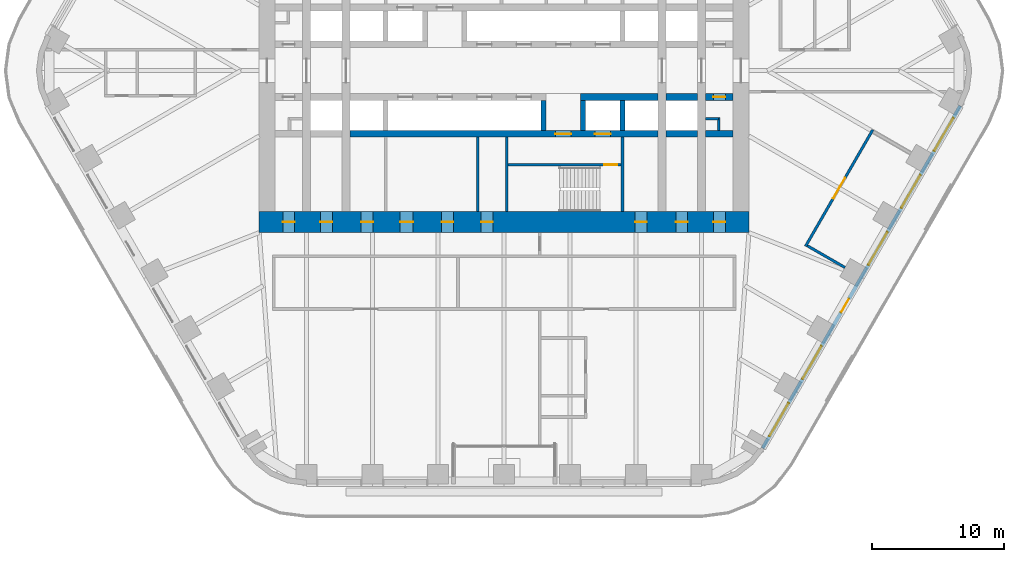
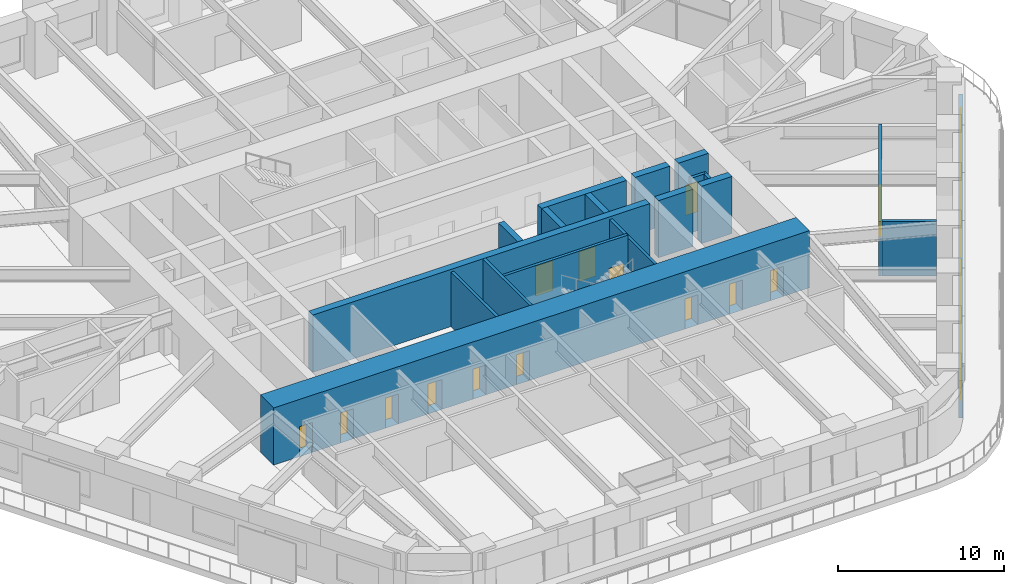
# One storey, part 18 of 24: 19 walls, 15 doors, 5 windows, 20 openings.
"""IFC4 building model written with IfcOpenShell, lengths in metres."""

from ifc_helpers import new_model, si_unit, direction, frame, frame_2d, origin, place, context, subcontext, project, spatial, rectangle, extrude, material, layer, layer_set, type_object, element, fill, save


model = new_model("IFC4")

# Units and contexts
model_context = context("Model", 3, precision=1e-05, world=origin(), true_north=direction((0.0, 1.0)))
body_context = subcontext(model_context, "Body", "Model", "MODEL_VIEW")
ifc_project = project(units=[si_unit("LENGTHUNIT", "METRE"), si_unit("AREAUNIT", "SQUARE_METRE"), si_unit("VOLUMEUNIT", "CUBIC_METRE"), si_unit("PLANEANGLEUNIT", "RADIAN"), si_unit("MASSUNIT", "GRAM", prefix="KILO")], contexts=[model_context])

# Site, building, storey
site_placement = place(None, origin())
site = spatial("IfcSite", under=ifc_project, at=site_placement, CompositionType="ELEMENT")
building_placement = place(site_placement, origin())
building = spatial("IfcBuilding", under=site, at=building_placement, Name="Tarfa Lantern Tower", CompositionType="ELEMENT")
storey_placement = place(building_placement, frame((0.0, 0.0, 148.89990234375)))
storey = spatial("IfcBuildingStorey", under=building, at=storey_placement, Name="L33", CompositionType="ELEMENT", Elevation=148.89990234375)

# Wall, openings, door, windows
ifc_material_1 = material(Name="Limestone cladding on blockwork", Category="masonry")
ifc_layer_1 = layer(ifc_material_1, 0.300048828125)
ifc_layer_set_1 = layer_set([ifc_layer_1], Name="EW1 STONE-CLAD WALL 300")
wall_type_1 = type_object("IfcWallType", Name="EW1 STONE-CLAD WALL 300", PredefinedType="SOLIDWALL", material=ifc_layer_set_1)
wall_1_placement = place(storey_placement, frame((19.644287109375, -28.675048828125, 0.0), z_axis=(0.0, 0.0, 1.0), x_axis=(0.500003084452, 0.866023622968, 0.0)))
wall_1 = element("IfcWall", 1, at=wall_1_placement, inside=storey, type_object=wall_type_1, Name="Stone wall SE", PredefinedType="SOLIDWALL", context=body_context, shape_type="SweptSolid", body=[
    extrude(rectangle(XDim=30.022216796875, YDim=0.300048828125, at=frame_2d((15.01123046875, 0.0))), origin(), (0.0, 0.0, 1.0), 2.75),
])
opening_1_placement = place(wall_1_placement, frame((1.0517578125, 0.0, 0.60009765625)))
opening_1 = element("IfcOpeningElement", 2, at=opening_1_placement, cuts=wall_1, Name="Opening W9", PredefinedType="OPENING", context=body_context, shape_type="SweptSolid", body=[
    extrude(rectangle(XDim=2.89990234375, YDim=1.89990234375, at=frame_2d((1.449951171875, 0.949951171875))), frame((0.0, 0.159912109375, 0.0), z_axis=(0.0, -1.0, 0.0), x_axis=(1.0, 0.0, 0.0)), (0.0, 0.0, 1.0), 0.320068359375),
])
opening_2_placement = place(wall_1_placement, frame((6.0556640625, 0.0, 0.60009765625)))
opening_2 = element("IfcOpeningElement", 3, at=opening_2_placement, cuts=wall_1, Name="Opening W9", PredefinedType="OPENING", context=body_context, shape_type="SweptSolid", body=[
    extrude(rectangle(XDim=2.89990234375, YDim=1.89990234375, at=frame_2d((1.449951171875, 0.949951171875))), frame((0.0, 0.159912109375, 0.0), z_axis=(0.0, -1.0, 0.0), x_axis=(1.0, 0.0, 0.0)), (0.0, 0.0, 1.0), 0.320068359375),
])
opening_3_placement = place(wall_1_placement, frame((11.9091796875, 0.0, 0.0)))
opening_3 = element("IfcOpeningElement", 4, at=opening_3_placement, cuts=wall_1, Name="Opening D49", PredefinedType="OPENING", context=body_context, shape_type="SweptSolid", body=[
    extrude(rectangle(XDim=1.199951171875, YDim=2.39990234375, at=frame_2d((0.60009765625, 1.199951171875))), frame((0.0, 0.159912109375, 0.0), z_axis=(0.0, -1.0, 0.0), x_axis=(1.0, 0.0, 0.0)), (0.0, 0.0, 1.0), 0.320068359375),
])
opening_4_placement = place(wall_1_placement, frame((16.06298828125, 0.0, 0.60009765625)))
opening_4 = element("IfcOpeningElement", 5, at=opening_4_placement, cuts=wall_1, Name="Opening W9", PredefinedType="OPENING", context=body_context, shape_type="SweptSolid", body=[
    extrude(rectangle(XDim=2.89990234375, YDim=1.89990234375, at=frame_2d((1.449951171875, 0.949951171875))), frame((0.0, 0.159912109375, 0.0), z_axis=(0.0, -1.0, 0.0), x_axis=(1.0, 0.0, 0.0)), (0.0, 0.0, 1.0), 0.320068359375),
])
opening_5_placement = place(wall_1_placement, frame((21.066650390625, 0.0, 0.60009765625)))
opening_5 = element("IfcOpeningElement", 6, at=opening_5_placement, cuts=wall_1, Name="Opening W9", PredefinedType="OPENING", context=body_context, shape_type="SweptSolid", body=[
    extrude(rectangle(XDim=2.89990234375, YDim=1.89990234375, at=frame_2d((1.449951171875, 0.949951171875))), frame((0.0, 0.159912109375, 0.0), z_axis=(0.0, -1.0, 0.0), x_axis=(1.0, 0.0, 0.0)), (0.0, 0.0, 1.0), 0.320068359375),
])
opening_6_placement = place(wall_1_placement, frame((26.0703125, 0.0, 0.60009765625)))
opening_6 = element("IfcOpeningElement", 7, at=opening_6_placement, cuts=wall_1, Name="Opening W9", PredefinedType="OPENING", context=body_context, shape_type="SweptSolid", body=[
    extrude(rectangle(XDim=2.89990234375, YDim=1.89990234375, at=frame_2d((1.449951171875, 0.949951171875))), frame((0.0, 0.159912109375, 0.0), z_axis=(0.0, -1.0, 0.0), x_axis=(1.0, 0.0, 0.0)), (0.0, 0.0, 1.0), 0.320068359375),
])
ifc_material_2 = material(Name="Aluminium framed glazed door", Category="aluminium")
door_type_1 = type_object("IfcDoorType", Name="BE3 BALCONY DOOR 1200x2400", OperationType="SINGLE_SWING_RIGHT", PredefinedType="DOOR", material=ifc_material_2)
door_1_placement = place(opening_3_placement, origin())
door_1 = element("IfcDoor", 8, at=door_1_placement, inside=storey, type_object=door_type_1, Name="Balcony door SE", OperationType="SINGLE_SWING_LEFT", OverallHeight=2.39990234375, OverallWidth=1.199951171875, PredefinedType="DOOR", context=body_context, shape_type="SweptSolid", body=[
    extrude(rectangle(XDim=1.199951171875, YDim=2.39990234375, at=frame_2d((0.60009765625, 1.199951171875))), frame((0.0, 0.02490234375, 0.0), z_axis=(0.0, -1.0, 0.0), x_axis=(1.0, 0.0, 0.0)), (0.0, 0.0, 1.0), 0.050048828125),
])
fill(opening_3, door_1)
ifc_material_3 = material(Name="Aluminium frame, double glazed", Category="aluminium")
window_type = type_object("IfcWindowType", Name="W9 FULL-HEIGHT GLAZING 2900x1900", PartitioningType="SINGLE_PANEL", PredefinedType="WINDOW", material=ifc_material_3)
window_1_placement = place(opening_1_placement, origin())
window_1 = element("IfcWindow", 9, at=window_1_placement, inside=storey, type_object=window_type, Name="Window SE 1", OverallHeight=1.89990234375, OverallWidth=2.89990234375, PartitioningType="SINGLE_PANEL", PredefinedType="WINDOW", context=body_context, shape_type="SweptSolid", body=[
    extrude(rectangle(XDim=2.89990234375, YDim=1.89990234375, at=frame_2d((1.449951171875, 0.949951171875))), frame((0.0, 0.030029296875, 0.0), z_axis=(0.0, -1.0, 0.0), x_axis=(1.0, 0.0, 0.0)), (0.0, 0.0, 1.0), 0.06005859375),
])
fill(opening_1, window_1)
window_2_placement = place(opening_2_placement, origin())
window_2 = element("IfcWindow", 10, at=window_2_placement, inside=storey, type_object=window_type, Name="Window SE 2", OverallHeight=1.89990234375, OverallWidth=2.89990234375, PartitioningType="SINGLE_PANEL", PredefinedType="WINDOW", context=body_context, shape_type="SweptSolid", body=[
    extrude(rectangle(XDim=2.89990234375, YDim=1.89990234375, at=frame_2d((1.449951171875, 0.949951171875))), frame((0.0, 0.030029296875, 0.0), z_axis=(0.0, -1.0, 0.0), x_axis=(1.0, 0.0, 0.0)), (0.0, 0.0, 1.0), 0.06005859375),
])
fill(opening_2, window_2)
window_3_placement = place(opening_4_placement, origin())
window_3 = element("IfcWindow", 11, at=window_3_placement, inside=storey, type_object=window_type, Name="Window SE 4", OverallHeight=1.89990234375, OverallWidth=2.89990234375, PartitioningType="SINGLE_PANEL", PredefinedType="WINDOW", context=body_context, shape_type="SweptSolid", body=[
    extrude(rectangle(XDim=2.89990234375, YDim=1.89990234375, at=frame_2d((1.449951171875, 0.949951171875))), frame((0.0, 0.030029296875, 0.0), z_axis=(0.0, -1.0, 0.0), x_axis=(1.0, 0.0, 0.0)), (0.0, 0.0, 1.0), 0.06005859375),
])
fill(opening_4, window_3)
window_4_placement = place(opening_5_placement, origin())
window_4 = element("IfcWindow", 12, at=window_4_placement, inside=storey, type_object=window_type, Name="Window SE 5", OverallHeight=1.89990234375, OverallWidth=2.89990234375, PartitioningType="SINGLE_PANEL", PredefinedType="WINDOW", context=body_context, shape_type="SweptSolid", body=[
    extrude(rectangle(XDim=2.89990234375, YDim=1.89990234375, at=frame_2d((1.449951171875, 0.949951171875))), frame((0.0, 0.030029296875, 0.0), z_axis=(0.0, -1.0, 0.0), x_axis=(1.0, 0.0, 0.0)), (0.0, 0.0, 1.0), 0.06005859375),
])
fill(opening_5, window_4)
window_5_placement = place(opening_6_placement, origin())
window_5 = element("IfcWindow", 13, at=window_5_placement, inside=storey, type_object=window_type, Name="Window SE 6", OverallHeight=1.89990234375, OverallWidth=2.89990234375, PartitioningType="SINGLE_PANEL", PredefinedType="WINDOW", context=body_context, shape_type="SweptSolid", body=[
    extrude(rectangle(XDim=2.89990234375, YDim=1.89990234375, at=frame_2d((1.449951171875, 0.949951171875))), frame((0.0, 0.030029296875, 0.0), z_axis=(0.0, -1.0, 0.0), x_axis=(1.0, 0.0, 0.0)), (0.0, 0.0, 1.0), 0.06005859375),
])
fill(opening_6, window_5)

# Walls
ifc_material_4 = material(Name="Concrete blockwork", Category="masonry")
ifc_layer_2 = layer(ifc_material_4, 0.199951171875)
ifc_layer_set_2 = layer_set([ifc_layer_2], Name="IW1 BLOCKWORK PARTITION 200 EI 120")
wall_type_2 = type_object("IfcWallType", Name="IW1 BLOCKWORK PARTITION 200 EI 120", PredefinedType="PARTITIONING", material=ifc_layer_set_2)
for number, where, z_axis, x_axis, name in (
    (14, (9.0, -5.050048828125, 0.0), (0.0, 0.0, 1.0), (0.0, -1.0, 0.0), "Core partition"),
    (15, (-2.0, -5.050048828125, 0.0), (0.0, 0.0, 1.0), (0.0, -1.0, 0.0), "Core partition"),
):
    element("IfcWall", number, at=place(storey_placement, frame(where, z_axis=z_axis, x_axis=x_axis)), inside=storey, type_object=wall_type_2, Name=name, PredefinedType="PARTITIONING", context=body_context, shape_type="SweptSolid", body=[
        extrude(rectangle(XDim=5.64990234375, YDim=0.199951171875, at=frame_2d((2.824951171875, 0.0))), origin(), (0.0, 0.0, 1.0), 4.0),
    ])
for number, where, z_axis, x_axis, name in (
    (16, (16.300048828125, -3.64990234375, 0.0), (0.0, 0.0, 1.0), (-1.0, 0.0, 0.0), "Core partition"),
    (17, (16.300048828125, -3.550048828125, 0.0), (0.0, 0.0, 1.0), (0.0, -1.0, 0.0), "Core partition"),
):
    element("IfcWall", number, at=place(storey_placement, frame(where, z_axis=z_axis, x_axis=x_axis)), inside=storey, type_object=wall_type_2, Name=name, PredefinedType="PARTITIONING", context=body_context, shape_type="SweptSolid", body=[
        extrude(rectangle(XDim=1.0, YDim=0.199951171875, at=frame_2d((0.5, 0.0))), origin(), (0.0, 0.0, 1.0), 4.0),
    ])

# Wall, opening, door
ifc_material_5 = material(Name="Gypsum board on steel studs", Category="steel")
ifc_layer_3 = layer(ifc_material_5, 0.2099609375)
ifc_layer_set_3 = layer_set([ifc_layer_3], Name="IW2 ACOUSTIC PARTITION 200")
wall_type_3 = type_object("IfcWallType", Name="IW2 ACOUSTIC PARTITION 200", PredefinedType="PARTITIONING", material=ifc_layer_set_3)
wall_2_placement = place(storey_placement, frame((22.899658203125, -13.336669921875, 0.0), z_axis=(0.0, 0.0, 1.0), x_axis=(0.500005407604, 0.86602228168, 0.0)))
wall_2 = element("IfcWall", 18, at=wall_2_placement, inside=storey, type_object=wall_type_3, Name="Partition", PredefinedType="PARTITIONING", context=body_context, shape_type="SweptSolid", body=[
    extrude(rectangle(XDim=10.20751953125, YDim=0.199951171875, at=frame_2d((5.103759765625, 0.0))), origin(), (0.0, 0.0, 1.0), 4.0),
])
opening_7_placement = place(wall_2_placement, frame((4.20361328125, 0.0, 0.0)))
opening_7 = element("IfcOpeningElement", 19, at=opening_7_placement, cuts=wall_2, Name="Opening D36", PredefinedType="OPENING", context=body_context, shape_type="SweptSolid", body=[
    extrude(rectangle(XDim=1.800048828125, YDim=2.39990234375, at=frame_2d((0.89990234375, 1.199951171875))), frame((0.0, 0.10986328125, 0.0), z_axis=(0.0, -1.0, 0.0), x_axis=(1.0, 0.0, 0.0)), (0.0, 0.0, 1.0), 0.219970703125),
])
ifc_material_6 = material(Name="Timber door", Category="wood")
door_type_2 = type_object("IfcDoorType", Name="DR2 ROOM DOOR 1800x2400", OperationType="DOUBLE_DOOR_SINGLE_SWING", PredefinedType="DOOR", material=ifc_material_6)
door_2_placement = place(opening_7_placement, frame((1.800048828125, 0.0, 0.0), z_axis=(0.0, 0.0, 1.0), x_axis=(-1.0, 0.0, 0.0)))
door_2 = element("IfcDoor", 20, at=door_2_placement, inside=storey, type_object=door_type_2, Name="Reading room door", OperationType="DOUBLE_DOOR_SINGLE_SWING", OverallHeight=2.39990234375, OverallWidth=1.800048828125, PredefinedType="DOOR", context=body_context, shape_type="SweptSolid", body=[
    extrude(rectangle(XDim=1.800048828125, YDim=2.39990234375, at=frame_2d((0.89990234375, 1.199951171875))), frame((0.0, 0.02490234375, 0.0), z_axis=(0.0, -1.0, 0.0), x_axis=(1.0, 0.0, 0.0)), (0.0, 0.0, 1.0), 0.050048828125),
])
fill(opening_7, door_2)

# Walls
wall_3_placement = place(storey_placement, frame((23.036376953125, -13.300048828125, 0.0), z_axis=(0.0, 0.0, 1.0), x_axis=(0.866021716278, -0.500006386895, 0.0)))
element("IfcWall", 21, at=wall_3_placement, inside=storey, type_object=wall_type_3, Name="Partition", PredefinedType="PARTITIONING", context=body_context, shape_type="SweptSolid", body=[
    extrude(rectangle(XDim=3.2998046875, YDim=0.199951171875, at=frame_2d((1.64990234375, 0.0))), origin(), (0.0, 0.0, 1.0), 4.0),
])
ifc_material_7 = material(Name="Concrete C80/95", Category="concrete")
ifc_layer_4 = layer(ifc_material_7, 0.199951171875)
ifc_layer_set_4 = layer_set([ifc_layer_4], Name="SW12 CORE WALL 200")
wall_type_4 = type_object("IfcWallType", Name="SW12 CORE WALL 200", PredefinedType="SHEAR", material=ifc_layer_set_4)
wall_4_placement = place(storey_placement, frame((0.199951171875, -5.050048828125, 0.0), z_axis=(0.0, 0.0, 1.0), x_axis=(0.0, -1.0, 0.0)))
element("IfcWall", 22, at=wall_4_placement, inside=storey, type_object=wall_type_4, Name="Core wall stair shaft S", PredefinedType="SHEAR", context=body_context, shape_type="SweptSolid", body=[
    extrude(rectangle(XDim=5.64990234375, YDim=0.199951171875, at=frame_2d((2.824951171875, 0.0))), origin(), (0.0, 0.0, 1.0), 4.2001953125),
])

# Wall, opening, door
wall_5_placement = place(storey_placement, frame((8.89990234375, -7.14990234375, 0.0), z_axis=(0.0, 0.0, 1.0), x_axis=(-1.0, 0.0, 0.0)))
wall_5 = element("IfcWall", 23, at=wall_5_placement, inside=storey, type_object=wall_type_4, Name="Core wall stair partition S", PredefinedType="SHEAR", context=body_context, shape_type="SweptSolid", body=[
    extrude(rectangle(XDim=8.599853515625, YDim=0.199951171875, at=frame_2d((4.2998046875, 0.0))), origin(), (0.0, 0.0, 1.0), 4.2001953125),
])
opening_8_placement = place(wall_5_placement, frame((0.300048828125, 0.0, 0.0)))
opening_8 = element("IfcOpeningElement", 24, at=opening_8_placement, cuts=wall_5, Name="Opening D28", PredefinedType="OPENING", context=body_context, shape_type="SweptSolid", body=[
    extrude(rectangle(XDim=1.0, YDim=2.199951171875, at=frame_2d((0.5, 1.10009765625))), frame((0.0, 0.10986328125, 0.0), z_axis=(0.0, -1.0, 0.0), x_axis=(1.0, 0.0, 0.0)), (0.0, 0.0, 1.0), 0.219970703125),
])
ifc_material_8 = material(Name="Steel fire door", Category="steel")
door_type_3 = type_object("IfcDoorType", Name="DF2 STAIR DOOR 1000x2200", OperationType="SINGLE_SWING_LEFT", PredefinedType="DOOR", material=ifc_material_8)
door_3_placement = place(opening_8_placement, origin())
door_3 = element("IfcDoor", 25, at=door_3_placement, inside=storey, type_object=door_type_3, Name="Stair door", OperationType="SINGLE_SWING_RIGHT", OverallHeight=2.199951171875, OverallWidth=1.0, PredefinedType="DOOR", context=body_context, shape_type="SweptSolid", body=[
    extrude(rectangle(XDim=1.0, YDim=2.199951171875, at=frame_2d((0.5, 1.10009765625))), frame((0.0, 0.02490234375, 0.0), z_axis=(0.0, -1.0, 0.0), x_axis=(1.0, 0.0, 0.0)), (0.0, 0.0, 1.0), 0.050048828125),
])
fill(opening_8, door_3)

ifc_layer_5 = layer(ifc_material_7, 0.5)
ifc_layer_set_5 = layer_set([ifc_layer_5], Name="SW5 CORE WALL 500")
wall_type_5 = type_object("IfcWallType", Name="SW5 CORE WALL 500", PredefinedType="SHEAR", material=ifc_layer_set_5)
wall_6_placement = place(storey_placement, frame((17.39990234375, -2.0, 0.0), z_axis=(0.0, 0.0, 1.0), x_axis=(-1.0, 0.0, 0.0)))
wall_6 = element("IfcWall", 26, at=wall_6_placement, inside=storey, type_object=wall_type_5, Name="Core wall lobby west S", PredefinedType="SHEAR", context=body_context, shape_type="SweptSolid", body=[
    extrude(rectangle(XDim=2.099853515625, YDim=0.5, at=frame_2d((1.0498046875, 0.0))), origin(), (0.0, 0.0, 1.0), 4.2001953125),
])
opening_9_placement = place(wall_6_placement, frame((0.60009765625, 0.0, 0.0)))
opening_9 = element("IfcOpeningElement", 27, at=opening_9_placement, cuts=wall_6, Name="Opening D20", PredefinedType="OPENING", context=body_context, shape_type="SweptSolid", body=[
    extrude(rectangle(XDim=0.89990234375, YDim=2.199951171875, at=frame_2d((0.449951171875, 1.10009765625))), frame((0.0, 0.260009765625, 0.0), z_axis=(0.0, -1.0, 0.0), x_axis=(1.0, 0.0, 0.0)), (0.0, 0.0, 1.0), 0.52001953125),
])
door_type_4 = type_object("IfcDoorType", Name="DF6 SERVICE ROOM DOOR 900x2200", OperationType="SINGLE_SWING_LEFT", PredefinedType="DOOR", material=ifc_material_8)
door_4_placement = place(opening_9_placement, origin())
door_4 = element("IfcDoor", 28, at=door_4_placement, inside=storey, type_object=door_type_4, Name="Service room door", OperationType="SINGLE_SWING_LEFT", OverallHeight=2.199951171875, OverallWidth=0.89990234375, PredefinedType="DOOR", context=body_context, shape_type="SweptSolid", body=[
    extrude(rectangle(XDim=0.89990234375, YDim=2.199951171875, at=frame_2d((0.449951171875, 1.10009765625))), frame((0.0, 0.02490234375, 0.0), z_axis=(0.0, -1.0, 0.0), x_axis=(1.0, 0.0, 0.0)), (0.0, 0.0, 1.0), 0.050048828125),
])
fill(opening_9, door_4)

# Walls
wall_7_placement = place(storey_placement, frame((14.699951171875, -2.0, 0.0), z_axis=(0.0, 0.0, 1.0), x_axis=(-1.0, 0.0, 0.0)))
element("IfcWall", 29, at=wall_7_placement, inside=storey, type_object=wall_type_5, Name="Core wall lobby west S", PredefinedType="SHEAR", context=body_context, shape_type="SweptSolid", body=[
    extrude(rectangle(XDim=2.39990234375, YDim=0.5, at=frame_2d((1.199951171875, 0.0))), origin(), (0.0, 0.0, 1.0), 4.2001953125),
])
wall_8_placement = place(storey_placement, frame((11.699951171875, -2.0, 0.0), z_axis=(0.0, 0.0, 1.0), x_axis=(-1.0, 0.0, 0.0)))
element("IfcWall", 30, at=wall_8_placement, inside=storey, type_object=wall_type_5, Name="Core wall lobby west S", PredefinedType="SHEAR", context=body_context, shape_type="SweptSolid", body=[
    extrude(rectangle(XDim=5.89990234375, YDim=0.5, at=frame_2d((2.949951171875, 0.0))), origin(), (0.0, 0.0, 1.0), 4.2001953125),
])
wall_9_placement = place(storey_placement, frame((17.39990234375, -4.800048828125, 0.0), z_axis=(0.0, 0.0, 1.0), x_axis=(-1.0, 0.0, 0.0)))
element("IfcWall", 31, at=wall_9_placement, inside=storey, type_object=wall_type_5, Name="Core wall rear S", PredefinedType="SHEAR", context=body_context, shape_type="SweptSolid", body=[
    extrude(rectangle(XDim=2.099853515625, YDim=0.5, at=frame_2d((1.0498046875, 0.0))), origin(), (0.0, 0.0, 1.0), 4.2001953125),
])
wall_10_placement = place(storey_placement, frame((14.699951171875, -4.800048828125, 0.0), z_axis=(0.0, 0.0, 1.0), x_axis=(-1.0, 0.0, 0.0)))
element("IfcWall", 32, at=wall_10_placement, inside=storey, type_object=wall_type_5, Name="Core wall rear S", PredefinedType="SHEAR", context=body_context, shape_type="SweptSolid", body=[
    extrude(rectangle(XDim=2.39990234375, YDim=0.5, at=frame_2d((1.199951171875, 0.0))), origin(), (0.0, 0.0, 1.0), 4.2001953125),
])

# Wall, openings, doors
wall_11_placement = place(storey_placement, frame((11.699951171875, -4.800048828125, 0.0), z_axis=(0.0, 0.0, 1.0), x_axis=(-1.0, 0.0, 0.0)))
wall_11 = element("IfcWall", 33, at=wall_11_placement, inside=storey, type_object=wall_type_5, Name="Core wall rear S", PredefinedType="SHEAR", context=body_context, shape_type="SweptSolid", body=[
    extrude(rectangle(XDim=23.39990234375, YDim=0.5, at=frame_2d((11.699951171875, 0.0))), origin(), (0.0, 0.0, 1.0), 4.2001953125),
])
opening_10_placement = place(wall_11_placement, frame((6.60009765625, 0.0, 0.0)))
opening_10 = element("IfcOpeningElement", 34, at=opening_10_placement, cuts=wall_11, Name="Opening D14", PredefinedType="OPENING", context=body_context, shape_type="SweptSolid", body=[
    extrude(rectangle(XDim=1.199951171875, YDim=2.199951171875, at=frame_2d((0.60009765625, 1.10009765625))), frame((0.0, 0.260009765625, 0.0), z_axis=(0.0, -1.0, 0.0), x_axis=(1.0, 0.0, 0.0)), (0.0, 0.0, 1.0), 0.52001953125),
])
opening_11_placement = place(wall_11_placement, frame((3.60009765625, 0.0, 0.0)))
opening_11 = element("IfcOpeningElement", 35, at=opening_11_placement, cuts=wall_11, Name="Opening LD02", PredefinedType="OPENING", context=body_context, shape_type="SweptSolid", body=[
    extrude(rectangle(XDim=1.199951171875, YDim=2.199951171875, at=frame_2d((0.60009765625, 1.10009765625))), frame((0.0, 0.260009765625, 0.0), z_axis=(0.0, -1.0, 0.0), x_axis=(1.0, 0.0, 0.0)), (0.0, 0.0, 1.0), 0.52001953125),
])
door_type_5 = type_object("IfcDoorType", Name="DF1 FIREFIGHTING LOBBY DOOR 1200x2200", OperationType="SINGLE_SWING_LEFT", PredefinedType="DOOR", material=ifc_material_8)
door_5_placement = place(opening_10_placement, origin())
door_5 = element("IfcDoor", 36, at=door_5_placement, inside=storey, type_object=door_type_5, Name="Firefighting lobby door", OperationType="SINGLE_SWING_LEFT", OverallHeight=2.199951171875, OverallWidth=1.199951171875, PredefinedType="DOOR", context=body_context, shape_type="SweptSolid", body=[
    extrude(rectangle(XDim=1.199951171875, YDim=2.199951171875, at=frame_2d((0.60009765625, 1.10009765625))), frame((0.0, 0.02490234375, 0.0), z_axis=(0.0, -1.0, 0.0), x_axis=(1.0, 0.0, 0.0)), (0.0, 0.0, 1.0), 0.050048828125),
])
fill(opening_10, door_5)
ifc_material_9 = material(Name="Stainless steel lift door", Category="steel")
door_type_6 = type_object("IfcDoorType", Name="LD1 LIFT LANDING DOOR 1200x2200", OperationType="SLIDING_TO_LEFT", PredefinedType="DOOR", material=ifc_material_9)
door_6_placement = place(opening_11_placement, origin())
door_6 = element("IfcDoor", 37, at=door_6_placement, inside=storey, type_object=door_type_6, Name="Landing door FL2", OperationType="SLIDING_TO_LEFT", OverallHeight=2.199951171875, OverallWidth=1.199951171875, PredefinedType="DOOR", context=body_context, shape_type="SweptSolid", body=[
    extrude(rectangle(XDim=1.199951171875, YDim=2.199951171875, at=frame_2d((0.60009765625, 1.10009765625))), frame((0.0, 0.02490234375, 0.0), z_axis=(0.0, -1.0, 0.0), x_axis=(1.0, 0.0, 0.0)), (0.0, 0.0, 1.0), 0.050048828125),
])
fill(opening_11, door_6)

# Walls
ifc_layer_6 = layer(ifc_material_7, 0.39990234375)
ifc_layer_set_6 = layer_set([ifc_layer_6], Name="SW6 CORE WALL 400")
wall_type_6 = type_object("IfcWallType", Name="SW6 CORE WALL 400", PredefinedType="SHEAR", material=ifc_layer_set_6)
for number, where, z_axis, x_axis, name in (
    (38, (9.0, -2.25, 0.0), (0.0, 0.0, 1.0), (0.0, -1.0, 0.0), "Core wall divider S"),
    (39, (6.0, -2.25, 0.0), (0.0, 0.0, 1.0), (0.0, -1.0, 0.0), "Core wall divider S"),
    (40, (3.0, -2.25, 0.0), (0.0, 0.0, 1.0), (0.0, -1.0, 0.0), "Core wall divider S"),
):
    element("IfcWall", number, at=place(storey_placement, frame(where, z_axis=z_axis, x_axis=x_axis)), inside=storey, type_object=wall_type_6, Name=name, PredefinedType="SHEAR", context=body_context, shape_type="SweptSolid", body=[
        extrude(rectangle(XDim=2.300048828125, YDim=0.39990234375, at=frame_2d((1.14990234375, 0.0))), origin(), (0.0, 0.0, 1.0), 4.2001953125),
    ])

# Wall, openings, doors
ifc_layer_7 = layer(ifc_material_7, 1.60009765625)
ifc_layer_set_7 = layer_set([ifc_layer_7], Name="SW7 CORE WALL 1600")
wall_type_7 = type_object("IfcWallType", Name="SW7 CORE WALL 1600", PredefinedType="SHEAR", material=ifc_layer_set_7)
wall_12_placement = place(storey_placement, frame((18.60009765625, -11.5, 0.0), z_axis=(0.0, 0.0, 1.0), x_axis=(-1.0, 0.0, 0.0)))
wall_12 = element("IfcWall", 41, at=wall_12_placement, inside=storey, type_object=wall_type_7, Name="Core wall S", PredefinedType="SHEAR", context=body_context, shape_type="SweptSolid", body=[
    extrude(rectangle(XDim=37.2001953125, YDim=1.60009765625, at=frame_2d((18.60009765625, 0.0))), origin(), (0.0, 0.0, 1.0), 4.2001953125),
])
opening_12_placement = place(wall_12_placement, frame((19.449951171875, 0.0, 0.0)))
opening_12 = element("IfcOpeningElement", 42, at=opening_12_placement, cuts=wall_12, Name="Opening D22", PredefinedType="OPENING", context=body_context, shape_type="SweptSolid", body=[
    extrude(rectangle(XDim=0.89990234375, YDim=2.199951171875, at=frame_2d((0.449951171875, 1.10009765625))), frame((0.0, 0.81005859375, 0.0), z_axis=(0.0, -1.0, 0.0), x_axis=(1.0, 0.0, 0.0)), (0.0, 0.0, 1.0), 1.6201171875),
])
opening_13_placement = place(wall_12_placement, frame((22.449951171875, 0.0, 0.0)))
opening_13 = element("IfcOpeningElement", 43, at=opening_13_placement, cuts=wall_12, Name="Opening D24", PredefinedType="OPENING", context=body_context, shape_type="SweptSolid", body=[
    extrude(rectangle(XDim=0.89990234375, YDim=2.199951171875, at=frame_2d((0.449951171875, 1.10009765625))), frame((0.0, 0.81005859375, 0.0), z_axis=(0.0, -1.0, 0.0), x_axis=(1.0, 0.0, 0.0)), (0.0, 0.0, 1.0), 1.6201171875),
])
opening_14_placement = place(wall_12_placement, frame((25.5, 0.0, 0.0)))
opening_14 = element("IfcOpeningElement", 44, at=opening_14_placement, cuts=wall_12, Name="Opening D26", PredefinedType="OPENING", context=body_context, shape_type="SweptSolid", body=[
    extrude(rectangle(XDim=1.0, YDim=2.199951171875, at=frame_2d((0.5, 1.10009765625))), frame((0.0, 0.81005859375, 0.0), z_axis=(0.0, -1.0, 0.0), x_axis=(1.0, 0.0, 0.0)), (0.0, 0.0, 1.0), 1.6201171875),
])
opening_15_placement = place(wall_12_placement, frame((1.800048828125, 0.0, 0.0)))
opening_15 = element("IfcOpeningElement", 45, at=opening_15_placement, cuts=wall_12, Name="Opening D12", PredefinedType="OPENING", context=body_context, shape_type="SweptSolid", body=[
    extrude(rectangle(XDim=0.89990234375, YDim=2.199951171875, at=frame_2d((0.449951171875, 1.10009765625))), frame((0.0, 0.81005859375, 0.0), z_axis=(0.0, -1.0, 0.0), x_axis=(1.0, 0.0, 0.0)), (0.0, 0.0, 1.0), 1.6201171875),
])
opening_16_placement = place(wall_12_placement, frame((4.64990234375, 0.0, 0.0)))
opening_16 = element("IfcOpeningElement", 46, at=opening_16_placement, cuts=wall_12, Name="Opening D08", PredefinedType="OPENING", context=body_context, shape_type="SweptSolid", body=[
    extrude(rectangle(XDim=0.89990234375, YDim=2.199951171875, at=frame_2d((0.449951171875, 1.10009765625))), frame((0.0, 0.81005859375, 0.0), z_axis=(0.0, -1.0, 0.0), x_axis=(1.0, 0.0, 0.0)), (0.0, 0.0, 1.0), 1.6201171875),
])
opening_17_placement = place(wall_12_placement, frame((7.75, 0.0, 0.0)))
opening_17 = element("IfcOpeningElement", 47, at=opening_17_placement, cuts=wall_12, Name="Opening D10", PredefinedType="OPENING", context=body_context, shape_type="SweptSolid", body=[
    extrude(rectangle(XDim=0.89990234375, YDim=2.199951171875, at=frame_2d((0.449951171875, 1.10009765625))), frame((0.0, 0.81005859375, 0.0), z_axis=(0.0, -1.0, 0.0), x_axis=(1.0, 0.0, 0.0)), (0.0, 0.0, 1.0), 1.6201171875),
])
opening_18_placement = place(wall_12_placement, frame((28.550048828125, 0.0, 0.0)))
opening_18 = element("IfcOpeningElement", 48, at=opening_18_placement, cuts=wall_12, Name="Opening D06", PredefinedType="OPENING", context=body_context, shape_type="SweptSolid", body=[
    extrude(rectangle(XDim=0.89990234375, YDim=2.199951171875, at=frame_2d((0.449951171875, 1.10009765625))), frame((0.0, 0.81005859375, 0.0), z_axis=(0.0, -1.0, 0.0), x_axis=(1.0, 0.0, 0.0)), (0.0, 0.0, 1.0), 1.6201171875),
])
opening_19_placement = place(wall_12_placement, frame((31.64990234375, 0.0, 0.0)))
opening_19 = element("IfcOpeningElement", 49, at=opening_19_placement, cuts=wall_12, Name="Opening D02", PredefinedType="OPENING", context=body_context, shape_type="SweptSolid", body=[
    extrude(rectangle(XDim=0.89990234375, YDim=2.199951171875, at=frame_2d((0.449951171875, 1.10009765625))), frame((0.0, 0.81005859375, 0.0), z_axis=(0.0, -1.0, 0.0), x_axis=(1.0, 0.0, 0.0)), (0.0, 0.0, 1.0), 1.6201171875),
])
opening_20_placement = place(wall_12_placement, frame((34.5, 0.0, 0.0)))
opening_20 = element("IfcOpeningElement", 50, at=opening_20_placement, cuts=wall_12, Name="Opening D04", PredefinedType="OPENING", context=body_context, shape_type="SweptSolid", body=[
    extrude(rectangle(XDim=0.89990234375, YDim=2.199951171875, at=frame_2d((0.449951171875, 1.10009765625))), frame((0.0, 0.81005859375, 0.0), z_axis=(0.0, -1.0, 0.0), x_axis=(1.0, 0.0, 0.0)), (0.0, 0.0, 1.0), 1.6201171875),
])
door_type_7 = type_object("IfcDoorType", Name="DF3 CORE ROOM DOOR 900x2200", OperationType="SINGLE_SWING_LEFT", PredefinedType="DOOR", material=ifc_material_8)
door_7_placement = place(opening_12_placement, frame((0.89990234375, 0.0, 0.0), z_axis=(0.0, 0.0, 1.0), x_axis=(-1.0, 0.0, 0.0)))
door_7 = element("IfcDoor", 51, at=door_7_placement, inside=storey, type_object=door_type_7, Name="Core door", OperationType="SINGLE_SWING_RIGHT", OverallHeight=2.199951171875, OverallWidth=0.89990234375, PredefinedType="DOOR", context=body_context, shape_type="SweptSolid", body=[
    extrude(rectangle(XDim=0.89990234375, YDim=2.199951171875, at=frame_2d((0.449951171875, 1.10009765625))), frame((0.0, 0.02490234375, 0.0), z_axis=(0.0, -1.0, 0.0), x_axis=(1.0, 0.0, 0.0)), (0.0, 0.0, 1.0), 0.050048828125),
])
fill(opening_12, door_7)
door_8_placement = place(opening_13_placement, frame((0.89990234375, 0.0, 0.0), z_axis=(0.0, 0.0, 1.0), x_axis=(-1.0, 0.0, 0.0)))
door_8 = element("IfcDoor", 52, at=door_8_placement, inside=storey, type_object=door_type_7, Name="Core door", OperationType="SINGLE_SWING_LEFT", OverallHeight=2.199951171875, OverallWidth=0.89990234375, PredefinedType="DOOR", context=body_context, shape_type="SweptSolid", body=[
    extrude(rectangle(XDim=0.89990234375, YDim=2.199951171875, at=frame_2d((0.449951171875, 1.10009765625))), frame((0.0, 0.02490234375, 0.0), z_axis=(0.0, -1.0, 0.0), x_axis=(1.0, 0.0, 0.0)), (0.0, 0.0, 1.0), 0.050048828125),
])
fill(opening_13, door_8)
door_type_8 = type_object("IfcDoorType", Name="DF4 CORE ROOM DOOR 1000x2200", OperationType="SINGLE_SWING_LEFT", PredefinedType="DOOR", material=ifc_material_8)
door_9_placement = place(opening_14_placement, frame((1.0, 0.0, 0.0), z_axis=(0.0, 0.0, 1.0), x_axis=(-1.0, 0.0, 0.0)))
door_9 = element("IfcDoor", 53, at=door_9_placement, inside=storey, type_object=door_type_8, Name="Core door", OperationType="SINGLE_SWING_RIGHT", OverallHeight=2.199951171875, OverallWidth=1.0, PredefinedType="DOOR", context=body_context, shape_type="SweptSolid", body=[
    extrude(rectangle(XDim=1.0, YDim=2.199951171875, at=frame_2d((0.5, 1.10009765625))), frame((0.0, 0.02490234375, 0.0), z_axis=(0.0, -1.0, 0.0), x_axis=(1.0, 0.0, 0.0)), (0.0, 0.0, 1.0), 0.050048828125),
])
fill(opening_14, door_9)
door_type_9 = type_object("IfcDoorType", Name="DF5 RISER DOOR 900x2200", OperationType="SINGLE_SWING_LEFT", PredefinedType="DOOR", material=ifc_material_8)
door_10_placement = place(opening_15_placement, frame((0.89990234375, 0.0, 0.0), z_axis=(0.0, 0.0, 1.0), x_axis=(-1.0, 0.0, 0.0)))
door_10 = element("IfcDoor", 54, at=door_10_placement, inside=storey, type_object=door_type_9, Name="Riser door", OperationType="SINGLE_SWING_LEFT", OverallHeight=2.199951171875, OverallWidth=0.89990234375, PredefinedType="DOOR", context=body_context, shape_type="SweptSolid", body=[
    extrude(rectangle(XDim=0.89990234375, YDim=2.199951171875, at=frame_2d((0.449951171875, 1.10009765625))), frame((0.0, 0.02490234375, 0.0), z_axis=(0.0, -1.0, 0.0), x_axis=(1.0, 0.0, 0.0)), (0.0, 0.0, 1.0), 0.050048828125),
])
fill(opening_15, door_10)
door_11_placement = place(opening_16_placement, frame((0.89990234375, 0.0, 0.0), z_axis=(0.0, 0.0, 1.0), x_axis=(-1.0, 0.0, 0.0)))
door_11 = element("IfcDoor", 55, at=door_11_placement, inside=storey, type_object=door_type_9, Name="Riser door", OperationType="SINGLE_SWING_LEFT", OverallHeight=2.199951171875, OverallWidth=0.89990234375, PredefinedType="DOOR", context=body_context, shape_type="SweptSolid", body=[
    extrude(rectangle(XDim=0.89990234375, YDim=2.199951171875, at=frame_2d((0.449951171875, 1.10009765625))), frame((0.0, 0.02490234375, 0.0), z_axis=(0.0, -1.0, 0.0), x_axis=(1.0, 0.0, 0.0)), (0.0, 0.0, 1.0), 0.050048828125),
])
fill(opening_16, door_11)
door_12_placement = place(opening_17_placement, frame((0.89990234375, 0.0, 0.0), z_axis=(0.0, 0.0, 1.0), x_axis=(-1.0, 0.0, 0.0)))
door_12 = element("IfcDoor", 56, at=door_12_placement, inside=storey, type_object=door_type_9, Name="Riser door", OperationType="SINGLE_SWING_LEFT", OverallHeight=2.199951171875, OverallWidth=0.89990234375, PredefinedType="DOOR", context=body_context, shape_type="SweptSolid", body=[
    extrude(rectangle(XDim=0.89990234375, YDim=2.199951171875, at=frame_2d((0.449951171875, 1.10009765625))), frame((0.0, 0.02490234375, 0.0), z_axis=(0.0, -1.0, 0.0), x_axis=(1.0, 0.0, 0.0)), (0.0, 0.0, 1.0), 0.050048828125),
])
fill(opening_17, door_12)
door_13_placement = place(opening_18_placement, frame((0.89990234375, 0.0, 0.0), z_axis=(0.0, 0.0, 1.0), x_axis=(-1.0, 0.0, 0.0)))
door_13 = element("IfcDoor", 57, at=door_13_placement, inside=storey, type_object=door_type_9, Name="Riser door", OperationType="SINGLE_SWING_RIGHT", OverallHeight=2.199951171875, OverallWidth=0.89990234375, PredefinedType="DOOR", context=body_context, shape_type="SweptSolid", body=[
    extrude(rectangle(XDim=0.89990234375, YDim=2.199951171875, at=frame_2d((0.449951171875, 1.10009765625))), frame((0.0, 0.02490234375, 0.0), z_axis=(0.0, -1.0, 0.0), x_axis=(1.0, 0.0, 0.0)), (0.0, 0.0, 1.0), 0.050048828125),
])
fill(opening_18, door_13)
door_14_placement = place(opening_19_placement, frame((0.89990234375, 0.0, 0.0), z_axis=(0.0, 0.0, 1.0), x_axis=(-1.0, 0.0, 0.0)))
door_14 = element("IfcDoor", 58, at=door_14_placement, inside=storey, type_object=door_type_9, Name="Riser door", OperationType="SINGLE_SWING_RIGHT", OverallHeight=2.199951171875, OverallWidth=0.89990234375, PredefinedType="DOOR", context=body_context, shape_type="SweptSolid", body=[
    extrude(rectangle(XDim=0.89990234375, YDim=2.199951171875, at=frame_2d((0.449951171875, 1.10009765625))), frame((0.0, 0.02490234375, 0.0), z_axis=(0.0, -1.0, 0.0), x_axis=(1.0, 0.0, 0.0)), (0.0, 0.0, 1.0), 0.050048828125),
])
fill(opening_19, door_14)
door_15_placement = place(opening_20_placement, frame((0.89990234375, 0.0, 0.0), z_axis=(0.0, 0.0, 1.0), x_axis=(-1.0, 0.0, 0.0)))
door_15 = element("IfcDoor", 59, at=door_15_placement, inside=storey, type_object=door_type_9, Name="Riser door", OperationType="SINGLE_SWING_RIGHT", OverallHeight=2.199951171875, OverallWidth=0.89990234375, PredefinedType="DOOR", context=body_context, shape_type="SweptSolid", body=[
    extrude(rectangle(XDim=0.89990234375, YDim=2.199951171875, at=frame_2d((0.449951171875, 1.10009765625))), frame((0.0, 0.02490234375, 0.0), z_axis=(0.0, -1.0, 0.0), x_axis=(1.0, 0.0, 0.0)), (0.0, 0.0, 1.0), 0.050048828125),
])
fill(opening_20, door_15)

save(model, "model.ifc")
